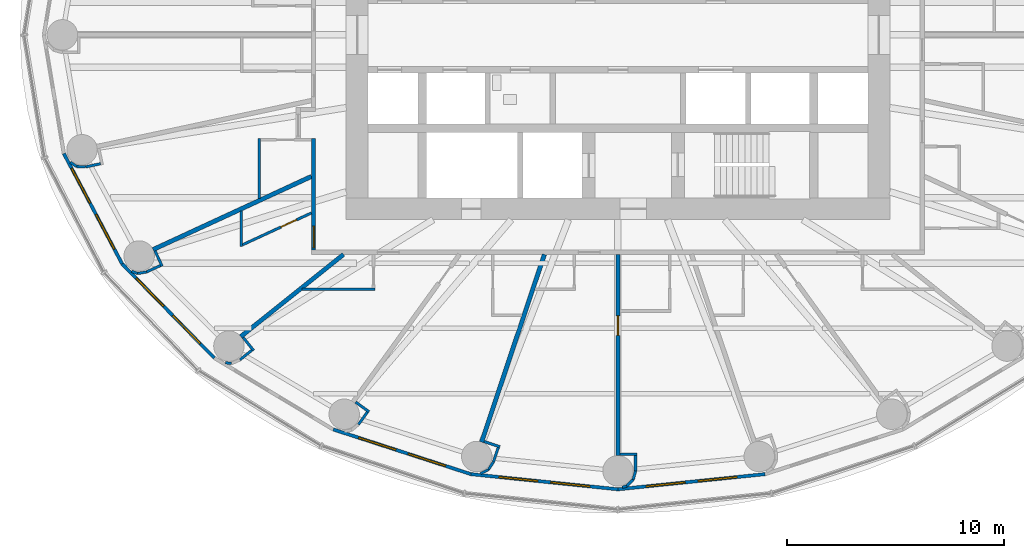
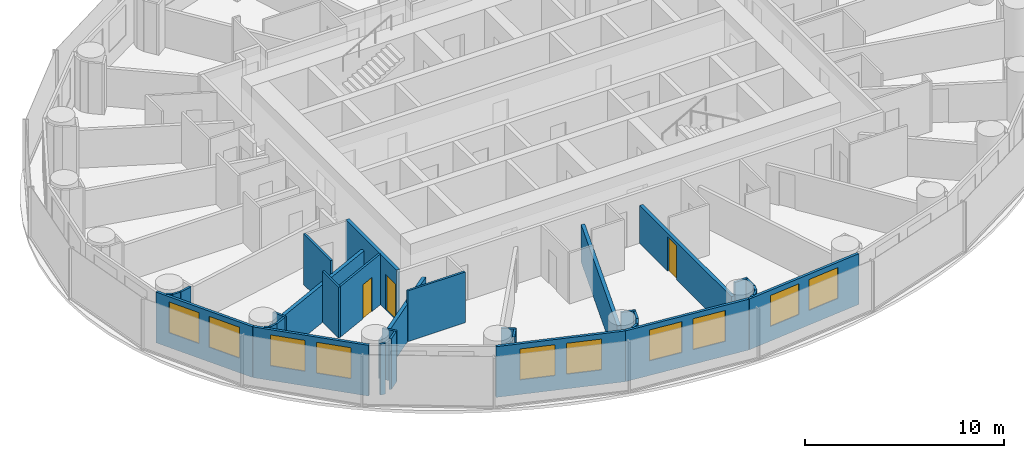
# One storey, part 6 of 16: 35 walls, 10 windows, 3 doors, 13 openings.
"""IFC4 building model written with IfcOpenShell, lengths in metres."""

import ifcopenshell
import ifcopenshell.guid

model = None  # the IFC model being written
_history = None  # IfcOwnerHistory: only IFC2X3 demands one
_inside = {}  # id of a spatial element -> (the spatial element, [elements in it])
_under = {}  # id of a project, library or spatial element -> (it, [spatial elements below it])
_declared = {}  # id of a project -> (the project, [libraries it declares])
_typed = {}  # id of a type object -> (the type object, [elements of that type])
_made_of = {}  # id of a material, layer set ... -> (it, [elements and type objects made of it])


def new_model(schema):
    """Start an empty IFC model of exactly this schema.

    Asked for "IFC4X3", IfcOpenShell would pick the latest addendum, in which some entities
    have other attributes; the version numbers below select the first issue.
    IFC2X3 requires an IfcOwnerHistory on every rooted entity: one is made here for all.
    """
    global model, _history
    if schema == "IFC4X3":
        model = ifcopenshell.file(schema_version=(4, 3, 0, 0))
    else:
        model = ifcopenshell.file(schema=schema)
    _inside.clear()
    _under.clear()
    _declared.clear()
    _typed.clear()
    _made_of.clear()
    _history = None
    if model.schema == "IFC2X3":
        org = make("IfcOrganization", Name="unknown")
        user = make(
            "IfcPersonAndOrganization",
            ThePerson=make("IfcPerson", FamilyName="unknown"),
            TheOrganization=org,
        )
        app = make(
            "IfcApplication",
            ApplicationDeveloper=org,
            Version="unknown",
            ApplicationFullName="unknown",
            ApplicationIdentifier="unknown",
        )
        _history = make(
            "IfcOwnerHistory",
            OwningUser=user,
            OwningApplication=app,
            ChangeAction="ADDED",
            CreationDate=0,
        )
    return model


def make(cls, **values):
    """One entity of the class cls with the attributes given. An attribute that is None is left unset."""
    return model.create_entity(
        cls, **{name: value for name, value in values.items() if value is not None}
    )


def rooted(cls, **values):
    """An entity with a GlobalId (a new one), such as an element, a storey or a relation."""
    return make(cls, GlobalId=ifcopenshell.guid.new(), OwnerHistory=_history, **values)


def si_unit(unit_type, name, prefix=None):
    """IfcSIUnit, for example si_unit("LENGTHUNIT", "METRE", prefix="MILLI")."""
    return make("IfcSIUnit", UnitType=unit_type, Prefix=prefix, Name=name)


def assignment(units):
    """IfcUnitAssignment: the units of a project."""
    return None if units is None else make("IfcUnitAssignment", Units=units)


def point(xyz):
    """IfcCartesianPoint."""
    return None if xyz is None else make("IfcCartesianPoint", Coordinates=xyz)


def direction(xyz):
    """IfcDirection."""
    return None if xyz is None else make("IfcDirection", DirectionRatios=xyz)


def frame(location, z_axis=None, x_axis=None):
    """IfcAxis2Placement3D, a coordinate frame: its origin and axes. An axis left out is left unset."""
    return make(
        "IfcAxis2Placement3D",
        Location=point(location),
        Axis=direction(z_axis),
        RefDirection=direction(x_axis),
    )


def frame_2d(location, x_axis=None):
    """IfcAxis2Placement2D, a coordinate frame in the plane: its origin and x axis."""
    return make(
        "IfcAxis2Placement2D", Location=point(location), RefDirection=direction(x_axis)
    )


def origin():
    """The frame at (0, 0, 0) with its axes left unset."""
    return frame((0.0, 0.0, 0.0))


def place(relative_to, where):
    """IfcLocalPlacement: puts the frame where relative to a parent placement (None: the world)."""
    return make(
        "IfcLocalPlacement", PlacementRelTo=relative_to, RelativePlacement=where
    )


def context(
    kind, dimensions, precision=None, world=None, true_north=None, identifier=None
):
    """IfcGeometricRepresentationContext, for example the 3D "Model" context."""
    return make(
        "IfcGeometricRepresentationContext",
        ContextIdentifier=identifier,
        ContextType=kind,
        CoordinateSpaceDimension=dimensions,
        Precision=precision,
        WorldCoordinateSystem=world,
        TrueNorth=true_north,
    )


def subcontext(parent, identifier, kind, view, scale=None):
    """IfcGeometricRepresentationSubContext, for example "Body" below "Model"."""
    return make(
        "IfcGeometricRepresentationSubContext",
        ContextIdentifier=identifier,
        ContextType=kind,
        ParentContext=parent,
        TargetScale=scale,
        TargetView=view,
    )


def project(units=None, contexts=None):
    """IfcProject with its units and contexts."""
    return rooted(
        "IfcProject",
        Name="project",
        RepresentationContexts=contexts,
        UnitsInContext=assignment(units),
    )


def spatial(cls, under=None, at=None, **own):
    """A site, building, storey or space (cls), placed at a placement, below another one or the project."""
    s = rooted(cls, ObjectPlacement=at, **own)
    if under is not None:
        _under.setdefault(under.id(), (under, []))[1].append(s)
    return s


def profile(cls, at=None, kind="AREA", **sizes):
    """A parametric profile (cls). Its sizes go by their IFC names, for example OverallWidth=200.0."""
    return make(cls, ProfileType=kind, Position=at, **sizes)


def rectangle(**sizes):
    """IfcRectangleProfileDef."""
    return profile("IfcRectangleProfileDef", **sizes)


def extrude(swept, where, along, depth):
    """IfcExtrudedAreaSolid: the profile swept, set in the frame where, extruded along a direction by depth."""
    return make(
        "IfcExtrudedAreaSolid",
        SweptArea=swept,
        Position=where,
        ExtrudedDirection=direction(along),
        Depth=depth,
    )


def shape(context_of_items, identifier, shape_type, items):
    """IfcShapeRepresentation: the items that make up one representation, for example the "Body"."""
    return make(
        "IfcShapeRepresentation",
        ContextOfItems=context_of_items,
        RepresentationIdentifier=identifier,
        RepresentationType=shape_type,
        Items=items,
    )


def material(Name=None, Category=None):
    """IfcMaterial."""
    return make("IfcMaterial", Name=Name, Category=Category)


def layer(
    of_material, thickness, ventilated=None, Name=None, Category=None, Priority=None
):
    """IfcMaterialLayer: one layer of a wall or slab, of a material (None: an air gap)."""
    return make(
        "IfcMaterialLayer",
        Material=of_material,
        LayerThickness=thickness,
        IsVentilated=ventilated,
        Name=Name,
        Category=Category,
        Priority=Priority,
    )


def layer_set(layers, Name=None):
    """IfcMaterialLayerSet."""
    return make("IfcMaterialLayerSet", MaterialLayers=layers, LayerSetName=Name)


def made_of(thing, what):
    """Note that an element or type object is made of a material, layer set ...; save() writes the relation."""
    if what is not None:
        _made_of.setdefault(what.id(), (what, []))[1].append(thing)
    return thing


def type_object(cls, material=None, **own):
    """A type object (cls), such as IfcWallType, which elements share."""
    return made_of(rooted(cls, **own), material)


def element(
    cls,
    number,
    at=None,
    inside=None,
    cuts=None,
    type_object=None,
    material=None,
    context=None,
    identifier="Body",
    shape_type=None,
    held_by="IfcProductDefinitionShape",
    body=None,
    shapes=None,
    **own,
):
    """One element of the class cls, such as IfcWall. Its Tag is "e" and its number.

    at: its placement. inside: the storey or other place that contains it. cuts: it is an
    opening in that element (IfcRelVoidsElement). A single representation is given by context,
    identifier, shape_type and body (its items); several are given by shapes. held_by: the class
    of the entity that holds the representations. save() writes the other relations.
    """
    e = rooted(cls, Tag="e%d" % number, ObjectPlacement=at, **own)
    if body is not None:
        shapes = [shape(context, identifier, shape_type, body)]
    if shapes is not None:
        e.Representation = make(held_by, Representations=shapes)
    if inside is not None:
        _inside.setdefault(inside.id(), (inside, []))[1].append(e)
    if cuts is not None:
        rooted(
            "IfcRelVoidsElement", RelatingBuildingElement=cuts, RelatedOpeningElement=e
        )
    if type_object is not None:
        _typed.setdefault(type_object.id(), (type_object, []))[1].append(e)
    return made_of(e, material)


def fill(opening, filler):
    """IfcRelFillsElement: the door or window that sits in an opening."""
    return rooted(
        "IfcRelFillsElement",
        RelatingOpeningElement=opening,
        RelatedBuildingElement=filler,
    )


def aggregate(whole, parts):
    """IfcRelAggregates: a whole, such as a stair, and the parts it consists of."""
    return rooted("IfcRelAggregates", RelatingObject=whole, RelatedObjects=parts)


def save(model, path):
    """Write the relations noted so far, then the file.

    IfcRelAggregates (storeys below a building ...), IfcRelContainedInSpatialStructure (elements
    in a storey), IfcRelDefinesByType, IfcRelAssociatesMaterial and IfcRelDeclares: one each for
    every whole, place, type object, material and project.
    """
    for whole, parts in _under.values():
        aggregate(whole, parts)
    for where, things in _inside.values():
        rooted(
            "IfcRelContainedInSpatialStructure",
            RelatedElements=things,
            RelatingStructure=where,
        )
    for kind, things in _typed.values():
        rooted("IfcRelDefinesByType", RelatedObjects=things, RelatingType=kind)
    for what, things in _made_of.values():
        rooted("IfcRelAssociatesMaterial", RelatedObjects=things, RelatingMaterial=what)
    for by, libraries in _declared.values():
        rooted("IfcRelDeclares", RelatingContext=by, RelatedDefinitions=libraries)
    model.write(path)


model = new_model("IFC4")

# Units and contexts
model_context = context("Model", 3, precision=1e-05, world=origin(), true_north=direction((0.0, 1.0)))
body_context = subcontext(model_context, "Body", "Model", "MODEL_VIEW")
ifc_project = project(units=[si_unit("LENGTHUNIT", "METRE"), si_unit("AREAUNIT", "SQUARE_METRE"), si_unit("VOLUMEUNIT", "CUBIC_METRE"), si_unit("PLANEANGLEUNIT", "RADIAN"), si_unit("MASSUNIT", "GRAM", prefix="KILO")], contexts=[model_context])

# Site, building, storey
site_placement = place(None, origin())
site = spatial("IfcSite", under=ifc_project, at=site_placement, CompositionType="ELEMENT")
building_placement = place(site_placement, origin())
building = spatial("IfcBuilding", under=site, at=building_placement, Name="Hankou Lantern Tower", CompositionType="ELEMENT")
storey_placement = place(building_placement, frame((0.0, 0.0, 77.10009765625)))
storey = spatial("IfcBuildingStorey", under=building, at=storey_placement, Name="L19", CompositionType="ELEMENT", Elevation=77.10009765625)

# Wall, openings, windows
ifc_material_1 = material(Name="Aluminium spandrel panel on steel studs", Category="steel")
ifc_layer_1 = layer(ifc_material_1, 0.14990234375)
ifc_layer_set_1 = layer_set([ifc_layer_1], Name="Aluminium spandrel panel on steel studs")
wall_type_1 = type_object("IfcWallType", Name="EW1 INNER SKIN WALL 150", PredefinedType="ELEMENTEDWALL", material=ifc_layer_set_1)
wall_1_placement = place(storey_placement, frame((-25.482421875, -5.46240234375, 0.0), z_axis=(0.0, 0.0, 1.0), x_axis=(0.467296867008, -0.884100468321, 0.0)))
wall_1 = element("IfcWall", 1, at=wall_1_placement, inside=storey, type_object=wall_type_1, Name="Inner skin R14-R15 L19", PredefinedType="ELEMENTEDWALL", context=body_context, shape_type="SweptSolid", body=[
    extrude(rectangle(XDim=5.734375, YDim=0.14990234375, at=frame_2d((2.8671875, 0.0))), origin(), (0.0, 0.0, 1.0), 3.119873046875),
])
opening_1_placement = place(wall_1_placement, frame((0.76708984375, 0.0, 0.89990234375)))
opening_1 = element("IfcOpeningElement", 2, at=opening_1_placement, cuts=wall_1, Name="Opening W1", PredefinedType="OPENING", context=body_context, shape_type="SweptSolid", body=[
    extrude(rectangle(XDim=1.800048828125, YDim=1.89990234375, at=frame_2d((0.89990234375, 0.949951171875))), frame((0.0, 0.0849609375, 0.0), z_axis=(0.0, -1.0, 0.0), x_axis=(1.0, 0.0, 0.0)), (0.0, 0.0, 1.0), 0.169921875),
])
opening_2_placement = place(wall_1_placement, frame((3.167236328125, 0.0, 0.89990234375)))
opening_2 = element("IfcOpeningElement", 3, at=opening_2_placement, cuts=wall_1, Name="Opening W1", PredefinedType="OPENING", context=body_context, shape_type="SweptSolid", body=[
    extrude(rectangle(XDim=1.800048828125, YDim=1.89990234375, at=frame_2d((0.89990234375, 0.949951171875))), frame((0.0, 0.0849609375, 0.0), z_axis=(0.0, -1.0, 0.0), x_axis=(1.0, 0.0, 0.0)), (0.0, 0.0, 1.0), 0.169921875),
])
ifc_material_2 = material(Name="Aluminium framed double glazed window", Category="aluminium")
window_type = type_object("IfcWindowType", Name="W1 GUEST ROOM WINDOW 1800X1900", PartitioningType="DOUBLE_PANEL_VERTICAL", PredefinedType="WINDOW", material=ifc_material_2)
window_1_placement = place(opening_1_placement, origin())
window_1 = element("IfcWindow", 4, at=window_1_placement, inside=storey, type_object=window_type, Name="Window R14.1 L19", OverallHeight=1.89990234375, OverallWidth=1.800048828125, PartitioningType="SINGLE_PANEL", PredefinedType="WINDOW", context=body_context, shape_type="SweptSolid", body=[
    extrude(rectangle(XDim=1.800048828125, YDim=1.89990234375, at=frame_2d((0.89990234375, 0.949951171875))), frame((0.0, 0.030029296875, 0.0), z_axis=(0.0, -1.0, 0.0), x_axis=(1.0, 0.0, 0.0)), (0.0, 0.0, 1.0), 0.06005859375),
])
fill(opening_1, window_1)
window_2_placement = place(opening_2_placement, origin())
window_2 = element("IfcWindow", 5, at=window_2_placement, inside=storey, type_object=window_type, Name="Window R14.2 L19", OverallHeight=1.89990234375, OverallWidth=1.800048828125, PartitioningType="SINGLE_PANEL", PredefinedType="WINDOW", context=body_context, shape_type="SweptSolid", body=[
    extrude(rectangle(XDim=1.800048828125, YDim=1.89990234375, at=frame_2d((0.89990234375, 0.949951171875))), frame((0.0, 0.030029296875, 0.0), z_axis=(0.0, -1.0, 0.0), x_axis=(1.0, 0.0, 0.0)), (0.0, 0.0, 1.0), 0.06005859375),
])
fill(opening_2, window_2)

wall_2_placement = place(storey_placement, frame((-22.802734375, -10.5322265625, 0.0), z_axis=(0.0, 0.0, 1.0), x_axis=(0.699602905915, -0.714531856557, 0.0)))
wall_2 = element("IfcWall", 6, at=wall_2_placement, inside=storey, type_object=wall_type_1, Name="Inner skin R15-R16 L19", PredefinedType="ELEMENTEDWALL", context=body_context, shape_type="SweptSolid", body=[
    extrude(rectangle(XDim=6.05078125, YDim=0.14990234375, at=frame_2d((3.025390625, 0.0))), origin(), (0.0, 0.0, 1.0), 3.119873046875),
])
opening_3_placement = place(wall_2_placement, frame((0.925537109375, 0.0, 0.89990234375)))
opening_3 = element("IfcOpeningElement", 7, at=opening_3_placement, cuts=wall_2, Name="Opening W1", PredefinedType="OPENING", context=body_context, shape_type="SweptSolid", body=[
    extrude(rectangle(XDim=1.800048828125, YDim=1.89990234375, at=frame_2d((0.89990234375, 0.949951171875))), frame((0.0, 0.0849609375, 0.0), z_axis=(0.0, -1.0, 0.0), x_axis=(1.0, 0.0, 0.0)), (0.0, 0.0, 1.0), 0.169921875),
])
opening_4_placement = place(wall_2_placement, frame((3.325439453125, 0.0, 0.89990234375)))
opening_4 = element("IfcOpeningElement", 8, at=opening_4_placement, cuts=wall_2, Name="Opening W1", PredefinedType="OPENING", context=body_context, shape_type="SweptSolid", body=[
    extrude(rectangle(XDim=1.800048828125, YDim=1.89990234375, at=frame_2d((0.89990234375, 0.949951171875))), frame((0.0, 0.0849609375, 0.0), z_axis=(0.0, -1.0, 0.0), x_axis=(1.0, 0.0, 0.0)), (0.0, 0.0, 1.0), 0.169921875),
])
window_3_placement = place(opening_3_placement, origin())
window_3 = element("IfcWindow", 9, at=window_3_placement, inside=storey, type_object=window_type, Name="Window R15.1 L19", OverallHeight=1.89990234375, OverallWidth=1.800048828125, PartitioningType="SINGLE_PANEL", PredefinedType="WINDOW", context=body_context, shape_type="SweptSolid", body=[
    extrude(rectangle(XDim=1.800048828125, YDim=1.89990234375, at=frame_2d((0.89990234375, 0.949951171875))), frame((0.0, 0.030029296875, 0.0), z_axis=(0.0, -1.0, 0.0), x_axis=(1.0, 0.0, 0.0)), (0.0, 0.0, 1.0), 0.06005859375),
])
fill(opening_3, window_3)
window_4_placement = place(opening_4_placement, origin())
window_4 = element("IfcWindow", 10, at=window_4_placement, inside=storey, type_object=window_type, Name="Window R15.2 L19", OverallHeight=1.89990234375, OverallWidth=1.800048828125, PartitioningType="SINGLE_PANEL", PredefinedType="WINDOW", context=body_context, shape_type="SweptSolid", body=[
    extrude(rectangle(XDim=1.800048828125, YDim=1.89990234375, at=frame_2d((0.89990234375, 0.949951171875))), frame((0.0, 0.030029296875, 0.0), z_axis=(0.0, -1.0, 0.0), x_axis=(1.0, 0.0, 0.0)), (0.0, 0.0, 1.0), 0.06005859375),
])
fill(opening_4, window_4)

wall_3_placement = place(storey_placement, frame((-13.096435546875, -18.14697265625, 0.0), z_axis=(0.0, 0.0, 1.0), x_axis=(0.951137534625, -0.308767534285, 0.0)))
wall_3 = element("IfcWall", 11, at=wall_3_placement, inside=storey, type_object=wall_type_1, Name="Inner skin R17-R18 L19", PredefinedType="ELEMENTEDWALL", context=body_context, shape_type="SweptSolid", body=[
    extrude(rectangle(XDim=6.6552734375, YDim=0.14990234375, at=frame_2d((3.32763671875, 0.0))), origin(), (0.0, 0.0, 1.0), 3.119873046875),
])
opening_5_placement = place(wall_3_placement, frame((1.2275390625, 0.0, 0.89990234375)))
opening_5 = element("IfcOpeningElement", 12, at=opening_5_placement, cuts=wall_3, Name="Opening W1", PredefinedType="OPENING", context=body_context, shape_type="SweptSolid", body=[
    extrude(rectangle(XDim=1.800048828125, YDim=1.89990234375, at=frame_2d((0.89990234375, 0.949951171875))), frame((0.0, 0.0849609375, 0.0), z_axis=(0.0, -1.0, 0.0), x_axis=(1.0, 0.0, 0.0)), (0.0, 0.0, 1.0), 0.169921875),
])
opening_6_placement = place(wall_3_placement, frame((3.627685546875, 0.0, 0.89990234375)))
opening_6 = element("IfcOpeningElement", 13, at=opening_6_placement, cuts=wall_3, Name="Opening W1", PredefinedType="OPENING", context=body_context, shape_type="SweptSolid", body=[
    extrude(rectangle(XDim=1.800048828125, YDim=1.89990234375, at=frame_2d((0.89990234375, 0.949951171875))), frame((0.0, 0.0849609375, 0.0), z_axis=(0.0, -1.0, 0.0), x_axis=(1.0, 0.0, 0.0)), (0.0, 0.0, 1.0), 0.169921875),
])
window_5_placement = place(opening_5_placement, origin())
window_5 = element("IfcWindow", 14, at=window_5_placement, inside=storey, type_object=window_type, Name="Window R17.1 L19", OverallHeight=1.89990234375, OverallWidth=1.800048828125, PartitioningType="SINGLE_PANEL", PredefinedType="WINDOW", context=body_context, shape_type="SweptSolid", body=[
    extrude(rectangle(XDim=1.800048828125, YDim=1.89990234375, at=frame_2d((0.89990234375, 0.949951171875))), frame((0.0, 0.030029296875, 0.0), z_axis=(0.0, -1.0, 0.0), x_axis=(1.0, 0.0, 0.0)), (0.0, 0.0, 1.0), 0.06005859375),
])
fill(opening_5, window_5)
window_6_placement = place(opening_6_placement, origin())
window_6 = element("IfcWindow", 15, at=window_6_placement, inside=storey, type_object=window_type, Name="Window R17.2 L19", OverallHeight=1.89990234375, OverallWidth=1.800048828125, PartitioningType="SINGLE_PANEL", PredefinedType="WINDOW", context=body_context, shape_type="SweptSolid", body=[
    extrude(rectangle(XDim=1.800048828125, YDim=1.89990234375, at=frame_2d((0.89990234375, 0.949951171875))), frame((0.0, 0.030029296875, 0.0), z_axis=(0.0, -1.0, 0.0), x_axis=(1.0, 0.0, 0.0)), (0.0, 0.0, 1.0), 0.06005859375),
])
fill(opening_6, window_6)

wall_4_placement = place(storey_placement, frame((-6.766357421875, -20.201904296875, 0.0), z_axis=(0.0, 0.0, 1.0), x_axis=(0.994721394369, -0.102612609291, 0.0)))
wall_4 = element("IfcWall", 16, at=wall_4_placement, inside=storey, type_object=wall_type_1, Name="Inner skin R18-R19 L19", PredefinedType="ELEMENTEDWALL", context=body_context, shape_type="SweptSolid", body=[
    extrude(rectangle(XDim=6.80224609375, YDim=0.14990234375, at=frame_2d((3.401123046875, 0.0))), origin(), (0.0, 0.0, 1.0), 3.119873046875),
])
opening_7_placement = place(wall_4_placement, frame((1.301025390625, 0.0, 0.89990234375)))
opening_7 = element("IfcOpeningElement", 17, at=opening_7_placement, cuts=wall_4, Name="Opening W1", PredefinedType="OPENING", context=body_context, shape_type="SweptSolid", body=[
    extrude(rectangle(XDim=1.800048828125, YDim=1.89990234375, at=frame_2d((0.89990234375, 0.949951171875))), frame((0.0, 0.0849609375, 0.0), z_axis=(0.0, -1.0, 0.0), x_axis=(1.0, 0.0, 0.0)), (0.0, 0.0, 1.0), 0.169921875),
])
opening_8_placement = place(wall_4_placement, frame((3.701171875, 0.0, 0.89990234375)))
opening_8 = element("IfcOpeningElement", 18, at=opening_8_placement, cuts=wall_4, Name="Opening W1", PredefinedType="OPENING", context=body_context, shape_type="SweptSolid", body=[
    extrude(rectangle(XDim=1.800048828125, YDim=1.89990234375, at=frame_2d((0.89990234375, 0.949951171875))), frame((0.0, 0.0849609375, 0.0), z_axis=(0.0, -1.0, 0.0), x_axis=(1.0, 0.0, 0.0)), (0.0, 0.0, 1.0), 0.169921875),
])
window_7_placement = place(opening_7_placement, origin())
window_7 = element("IfcWindow", 19, at=window_7_placement, inside=storey, type_object=window_type, Name="Window R18.1 L19", OverallHeight=1.89990234375, OverallWidth=1.800048828125, PartitioningType="SINGLE_PANEL", PredefinedType="WINDOW", context=body_context, shape_type="SweptSolid", body=[
    extrude(rectangle(XDim=1.800048828125, YDim=1.89990234375, at=frame_2d((0.89990234375, 0.949951171875))), frame((0.0, 0.030029296875, 0.0), z_axis=(0.0, -1.0, 0.0), x_axis=(1.0, 0.0, 0.0)), (0.0, 0.0, 1.0), 0.06005859375),
])
fill(opening_7, window_7)
window_8_placement = place(opening_8_placement, origin())
window_8 = element("IfcWindow", 20, at=window_8_placement, inside=storey, type_object=window_type, Name="Window R18.2 L19", OverallHeight=1.89990234375, OverallWidth=1.800048828125, PartitioningType="SINGLE_PANEL", PredefinedType="WINDOW", context=body_context, shape_type="SweptSolid", body=[
    extrude(rectangle(XDim=1.800048828125, YDim=1.89990234375, at=frame_2d((0.89990234375, 0.949951171875))), frame((0.0, 0.030029296875, 0.0), z_axis=(0.0, -1.0, 0.0), x_axis=(1.0, 0.0, 0.0)), (0.0, 0.0, 1.0), 0.06005859375),
])
fill(opening_8, window_8)

wall_5_placement = place(storey_placement, frame((0.0, -20.89990234375, 0.0), z_axis=(0.0, 0.0, 1.0), x_axis=(0.994721394369, 0.102612609291, 0.0)))
wall_5 = element("IfcWall", 21, at=wall_5_placement, inside=storey, type_object=wall_type_1, Name="Inner skin R19-R20 L19", PredefinedType="ELEMENTEDWALL", context=body_context, shape_type="SweptSolid", body=[
    extrude(rectangle(XDim=6.80224609375, YDim=0.14990234375, at=frame_2d((3.401123046875, 0.0))), origin(), (0.0, 0.0, 1.0), 3.119873046875),
])
opening_9_placement = place(wall_5_placement, frame((1.301025390625, 0.0, 0.89990234375)))
opening_9 = element("IfcOpeningElement", 22, at=opening_9_placement, cuts=wall_5, Name="Opening W1", PredefinedType="OPENING", context=body_context, shape_type="SweptSolid", body=[
    extrude(rectangle(XDim=1.800048828125, YDim=1.89990234375, at=frame_2d((0.89990234375, 0.949951171875))), frame((0.0, 0.0849609375, 0.0), z_axis=(0.0, -1.0, 0.0), x_axis=(1.0, 0.0, 0.0)), (0.0, 0.0, 1.0), 0.169921875),
])
opening_10_placement = place(wall_5_placement, frame((3.701171875, 0.0, 0.89990234375)))
opening_10 = element("IfcOpeningElement", 23, at=opening_10_placement, cuts=wall_5, Name="Opening W1", PredefinedType="OPENING", context=body_context, shape_type="SweptSolid", body=[
    extrude(rectangle(XDim=1.800048828125, YDim=1.89990234375, at=frame_2d((0.89990234375, 0.949951171875))), frame((0.0, 0.0849609375, 0.0), z_axis=(0.0, -1.0, 0.0), x_axis=(1.0, 0.0, 0.0)), (0.0, 0.0, 1.0), 0.169921875),
])
window_9_placement = place(opening_9_placement, origin())
window_9 = element("IfcWindow", 24, at=window_9_placement, inside=storey, type_object=window_type, Name="Window R19.1 L19", OverallHeight=1.89990234375, OverallWidth=1.800048828125, PartitioningType="SINGLE_PANEL", PredefinedType="WINDOW", context=body_context, shape_type="SweptSolid", body=[
    extrude(rectangle(XDim=1.800048828125, YDim=1.89990234375, at=frame_2d((0.89990234375, 0.949951171875))), frame((0.0, 0.030029296875, 0.0), z_axis=(0.0, -1.0, 0.0), x_axis=(1.0, 0.0, 0.0)), (0.0, 0.0, 1.0), 0.06005859375),
])
fill(opening_9, window_9)
window_10_placement = place(opening_10_placement, origin())
window_10 = element("IfcWindow", 25, at=window_10_placement, inside=storey, type_object=window_type, Name="Window R19.2 L19", OverallHeight=1.89990234375, OverallWidth=1.800048828125, PartitioningType="SINGLE_PANEL", PredefinedType="WINDOW", context=body_context, shape_type="SweptSolid", body=[
    extrude(rectangle(XDim=1.800048828125, YDim=1.89990234375, at=frame_2d((0.89990234375, 0.949951171875))), frame((0.0, 0.030029296875, 0.0), z_axis=(0.0, -1.0, 0.0), x_axis=(1.0, 0.0, 0.0)), (0.0, 0.0, 1.0), 0.06005859375),
])
fill(opening_10, window_10)

# Walls
ifc_material_3 = material(Name="Masonry lightweight concrete block", Category="masonry")
ifc_layer_2 = layer(ifc_material_3, 0.199951171875)
ifc_layer_set_2 = layer_set([ifc_layer_2], Name="Masonry lightweight concrete block")
wall_type_2 = type_object("IfcWallType", Name="IW1 GUEST ROOM PARTY WALL 200", PredefinedType="PARTITIONING", material=ifc_layer_set_2)
wall_6_placement = place(storey_placement, frame((-14.10009765625, -6.512451171875, 0.0), z_axis=(0.0, 0.0, 1.0), x_axis=(-0.907832871056, -0.419332181247, 0.0)))
element("IfcWall", 26, at=wall_6_placement, inside=storey, type_object=wall_type_2, Name="Party wall R15", PredefinedType="PARTITIONING", context=body_context, shape_type="SweptSolid", body=[
    extrude(rectangle(XDim=8.02294921875, YDim=0.199951171875, at=frame_2d((4.011474609375, 0.0))), origin(), (0.0, 0.0, 1.0), 2.31982421875),
])
wall_7_placement = place(storey_placement, frame((-12.625, -10.10009765625, 0.0), z_axis=(0.0, 0.0, 1.0), x_axis=(-0.780892451574, -0.624665493744, 0.0)))
element("IfcWall", 27, at=wall_7_placement, inside=storey, type_object=wall_type_2, Name="Party wall R16", PredefinedType="PARTITIONING", context=body_context, shape_type="SweptSolid", body=[
    extrude(rectangle(XDim=6.044677734375, YDim=0.199951171875, at=frame_2d((3.0224609375, 0.0))), origin(), (0.0, 0.0, 1.0), 2.31982421875),
])
wall_8_placement = place(storey_placement, frame((-3.3828125, -10.10009765625, 0.0), z_axis=(0.0, 0.0, 1.0), x_axis=(-0.31759592231, -0.948226149256, 0.0)))
element("IfcWall", 28, at=wall_8_placement, inside=storey, type_object=wall_type_2, Name="Party wall R18", PredefinedType="PARTITIONING", context=body_context, shape_type="SweptSolid", body=[
    extrude(rectangle(XDim=9.098388671875, YDim=0.199951171875, at=frame_2d((4.54931640625, 0.0))), origin(), (0.0, 0.0, 1.0), 2.31982421875),
])

# Wall, opening, door
ifc_material_4 = material(Name="Masonry lightweight concrete block", Category="masonry")
ifc_layer_3 = layer(ifc_material_4, 0.199951171875)
ifc_layer_set_3 = layer_set([ifc_layer_3], Name="Masonry lightweight concrete block")
wall_type_3 = type_object("IfcWallType", Name="IW2 CORRIDOR WALL 200", PredefinedType="PARTITIONING", material=ifc_layer_set_3)
wall_9_placement = place(storey_placement, frame((-14.0, -4.7724609375, 0.0), z_axis=(0.0, 0.0, 1.0), x_axis=(0.0, -1.0, 0.0)))
wall_9 = element("IfcWall", 29, at=wall_9_placement, inside=storey, type_object=wall_type_3, Name="Corridor wall west", PredefinedType="PARTITIONING", context=body_context, shape_type="SweptSolid", body=[
    extrude(rectangle(XDim=5.12744140625, YDim=0.199951171875, at=frame_2d((2.563720703125, 0.0))), origin(), (0.0, 0.0, 1.0), 3.119873046875),
])
opening_11_placement = place(wall_9_placement, frame((4.02490234375, 0.0, 0.0)))
opening_11 = element("IfcOpeningElement", 30, at=opening_11_placement, cuts=wall_9, Name="Opening D1", PredefinedType="OPENING", context=body_context, shape_type="SweptSolid", body=[
    extrude(rectangle(XDim=1.0, YDim=2.199951171875, at=frame_2d((0.5, 1.10009765625))), frame((0.0, 0.10986328125, 0.0), z_axis=(0.0, -1.0, 0.0), x_axis=(1.0, 0.0, 0.0)), (0.0, 0.0, 1.0), 0.219970703125),
])
ifc_material_5 = material(Name="Steel door leaf", Category="steel")
door_type_1 = type_object("IfcDoorType", Name="D1 GUEST ROOM DOOR 1000X2200", OperationType="SINGLE_SWING_LEFT", PredefinedType="DOOR", material=ifc_material_5)
door_1_placement = place(opening_11_placement, origin())
door_1 = element("IfcDoor", 31, at=door_1_placement, inside=storey, type_object=door_type_1, Name="Guest room door 1920", OperationType="SINGLE_SWING_RIGHT", OverallHeight=2.199951171875, OverallWidth=1.0, PredefinedType="DOOR", context=body_context, shape_type="SweptSolid", body=[
    extrude(rectangle(XDim=1.0, YDim=2.199951171875, at=frame_2d((0.5, 1.10009765625))), frame((0.0, 0.02490234375, 0.0), z_axis=(0.0, -1.0, 0.0), x_axis=(1.0, 0.0, 0.0)), (0.0, 0.0, 1.0), 0.050048828125),
])
fill(opening_11, door_1)

# Walls
ifc_material_6 = material(Name="Masonry lightweight concrete block", Category="masonry")
ifc_layer_4 = layer(ifc_material_6, 0.1201171875)
ifc_layer_set_4 = layer_set([ifc_layer_4], Name="Masonry lightweight concrete block")
wall_type_4 = type_object("IfcWallType", Name="IW3 BATHROOM WALL 120", PredefinedType="PARTITIONING", material=ifc_layer_set_4)
wall_10_placement = place(storey_placement, frame((-14.52490234375, -11.699951171875, 0.0), z_axis=(0.0, 0.0, 1.0), x_axis=(1.0, 0.0, 0.0)))
element("IfcWall", 32, at=wall_10_placement, inside=storey, type_object=wall_type_4, Name="Box wall 1901C 1", PredefinedType="PARTITIONING", context=body_context, shape_type="SweptSolid", body=[
    extrude(rectangle(XDim=3.33984375, YDim=0.1201171875, at=frame_2d((1.669921875, 0.0))), origin(), (0.0, 0.0, 1.0), 3.119873046875),
])
wall_11_placement = place(storey_placement, frame((-16.5, -7.52099609375, 0.0), z_axis=(0.0, 0.0, 1.0), x_axis=(0.0, 1.0, 0.0)))
element("IfcWall", 33, at=wall_11_placement, inside=storey, type_object=wall_type_4, Name="Box wall 1919 1", PredefinedType="PARTITIONING", context=body_context, shape_type="SweptSolid", body=[
    extrude(rectangle(XDim=2.74853515625, YDim=0.1201171875, at=frame_2d((1.374267578125, 0.0))), origin(), (0.0, 0.0, 1.0), 3.119873046875),
])
wall_12_placement = place(storey_placement, frame((-17.32275390625, -8.10107421875, 0.0), z_axis=(0.0, 0.0, 1.0), x_axis=(0.0, -1.0, 0.0)))
element("IfcWall", 34, at=wall_12_placement, inside=storey, type_object=wall_type_4, Name="Box wall 1920 1", PredefinedType="PARTITIONING", context=body_context, shape_type="SweptSolid", body=[
    extrude(rectangle(XDim=1.639892578125, YDim=0.1201171875, at=frame_2d((0.81982421875, 0.0))), origin(), (0.0, 0.0, 1.0), 3.119873046875),
])

# Wall, opening, door
wall_13_placement = place(storey_placement, frame((-14.10009765625, -8.192626953125, 0.0), z_axis=(0.0, 0.0, 1.0), x_axis=(-0.907836493557, -0.419324338628, 0.0)))
wall_13 = element("IfcWall", 35, at=wall_13_placement, inside=storey, type_object=wall_type_4, Name="Box wall 1920 1", PredefinedType="PARTITIONING", context=body_context, shape_type="SweptSolid", body=[
    extrude(rectangle(XDim=3.48974609375, YDim=0.1201171875, at=frame_2d((1.744873046875, 0.0))), origin(), (0.0, 0.0, 1.0), 3.119873046875),
])
opening_12_placement = place(wall_13_placement, frame((0.75, 0.0, 0.0)))
opening_12 = element("IfcOpeningElement", 36, at=opening_12_placement, cuts=wall_13, Name="Opening D3", PredefinedType="OPENING", context=body_context, shape_type="SweptSolid", body=[
    extrude(rectangle(XDim=0.800048828125, YDim=2.10009765625, at=frame_2d((0.39990234375, 1.050048828125))), frame((0.0, 0.070068359375, 0.0), z_axis=(0.0, -1.0, 0.0), x_axis=(1.0, 0.0, 0.0)), (0.0, 0.0, 1.0), 0.14013671875),
])
ifc_material_7 = material(Name="Timber door leaf", Category="wood")
door_type_2 = type_object("IfcDoorType", Name="D3 BATHROOM DOOR 800X2100", OperationType="SINGLE_SWING_LEFT", PredefinedType="DOOR", material=ifc_material_7)
door_2_placement = place(opening_12_placement, origin())
door_2 = element("IfcDoor", 37, at=door_2_placement, inside=storey, type_object=door_type_2, Name="En-suite bathroom 1920 door", OperationType="SINGLE_SWING_LEFT", OverallHeight=2.10009765625, OverallWidth=0.800048828125, PredefinedType="DOOR", context=body_context, shape_type="SweptSolid", body=[
    extrude(rectangle(XDim=0.800048828125, YDim=2.10009765625, at=frame_2d((0.39990234375, 1.050048828125))), frame((0.0, 0.02490234375, 0.0), z_axis=(0.0, -1.0, 0.0), x_axis=(1.0, 0.0, 0.0)), (0.0, 0.0, 1.0), 0.050048828125),
])
fill(opening_12, door_2)

# Walls
ifc_material_8 = material(Name="Masonry lightweight concrete block", Category="masonry")
ifc_layer_5 = layer(ifc_material_8, 0.1201171875)
ifc_layer_set_5 = layer_set([ifc_layer_5], Name="Masonry lightweight concrete block")
wall_type_5 = type_object("IfcWallType", Name="IW4 PARTITION 120", PredefinedType="PARTITIONING", material=ifc_layer_set_5)
wall_14_placement = place(storey_placement, frame((-23.793212890625, -5.92626953125, 0.0), z_axis=(0.0, 0.0, 1.0), x_axis=(-0.977792206673, -0.209576717621, 0.0)))
element("IfcWall", 38, at=wall_14_placement, inside=storey, type_object=wall_type_5, Name="Column casing R14", PredefinedType="PARTITIONING", context=body_context, shape_type="SweptSolid", body=[
    extrude(rectangle(XDim=0.7001953125, YDim=0.1201171875, at=frame_2d((0.35009765625, 0.0))), origin(), (0.0, 0.0, 1.0), 3.119873046875),
])
wall_15_placement = place(storey_placement, frame((-24.477783203125, -6.072998046875, 0.0), z_axis=(0.0, 0.0, 1.0), x_axis=(-0.998708262812, 0.05081147302, 0.0)))
element("IfcWall", 39, at=wall_15_placement, inside=storey, type_object=wall_type_5, Name="Column casing R14", PredefinedType="PARTITIONING", context=body_context, shape_type="SweptSolid", body=[
    extrude(rectangle(XDim=0.41796875, YDim=0.1201171875, at=frame_2d((0.208984375, 0.0))), origin(), (0.0, 0.0, 1.0), 3.119873046875),
])
wall_16_placement = place(storey_placement, frame((-24.895263671875, -6.0517578125, 0.0), z_axis=(0.0, 0.0, 1.0), x_axis=(-0.839495197275, 0.54336710772, 0.0)))
element("IfcWall", 40, at=wall_16_placement, inside=storey, type_object=wall_type_5, Name="Column casing R14", PredefinedType="PARTITIONING", context=body_context, shape_type="SweptSolid", body=[
    extrude(rectangle(XDim=0.349609375, YDim=0.1201171875, at=frame_2d((0.1748046875, 0.0))), origin(), (0.0, 0.0, 1.0), 3.119873046875),
])
wall_17_placement = place(storey_placement, frame((-21.287109375, -9.9423828125, 0.0), z_axis=(0.0, 0.0, 1.0), x_axis=(0.419259891039, -0.907866258744, 0.0)))
element("IfcWall", 41, at=wall_17_placement, inside=storey, type_object=wall_type_5, Name="Column casing R15 return", PredefinedType="PARTITIONING", context=body_context, shape_type="SweptSolid", body=[
    extrude(rectangle(XDim=0.767578125, YDim=0.1201171875, at=frame_2d((0.3837890625, 0.0))), origin(), (0.0, 0.0, 1.0), 3.119873046875),
])
wall_18_placement = place(storey_placement, frame((-21.044921875, -10.60986328125, 0.0), z_axis=(0.0, 0.0, 1.0), x_axis=(-0.907877701396, -0.419235112208, 0.0)))
element("IfcWall", 42, at=wall_18_placement, inside=storey, type_object=wall_type_5, Name="Column casing R15", PredefinedType="PARTITIONING", context=body_context, shape_type="SweptSolid", body=[
    extrude(rectangle(XDim=0.699951171875, YDim=0.1201171875, at=frame_2d((0.35009765625, 0.0))), origin(), (0.0, 0.0, 1.0), 3.119873046875),
])
wall_19_placement = place(storey_placement, frame((-21.680419921875, -10.9033203125, 0.0), z_axis=(0.0, 0.0, 1.0), x_axis=(-0.985446622073, -0.169985161247, 0.0)))
element("IfcWall", 43, at=wall_19_placement, inside=storey, type_object=wall_type_5, Name="Column casing R15", PredefinedType="PARTITIONING", context=body_context, shape_type="SweptSolid", body=[
    extrude(rectangle(XDim=0.41796875, YDim=0.1201171875, at=frame_2d((0.208984375, 0.0))), origin(), (0.0, 0.0, 1.0), 3.119873046875),
])
wall_20_placement = place(storey_placement, frame((-22.09228515625, -10.974365234375, 0.0), z_axis=(0.0, 0.0, 1.0), x_axis=(-0.938428160676, 0.345474437912, 0.0)))
element("IfcWall", 44, at=wall_20_placement, inside=storey, type_object=wall_type_5, Name="Column casing R15", PredefinedType="PARTITIONING", context=body_context, shape_type="SweptSolid", body=[
    extrude(rectangle(XDim=0.2939453125, YDim=0.1201171875, at=frame_2d((0.14697265625, 0.0))), origin(), (0.0, 0.0, 1.0), 3.119873046875),
])
wall_21_placement = place(storey_placement, frame((-17.23583984375, -13.916748046875, 0.0), z_axis=(0.0, 0.0, 1.0), x_axis=(0.624695047554, -0.780868809443, 0.0)))
element("IfcWall", 45, at=wall_21_placement, inside=storey, type_object=wall_type_5, Name="Column casing R16 return", PredefinedType="PARTITIONING", context=body_context, shape_type="SweptSolid", body=[
    extrude(rectangle(XDim=0.767578125, YDim=0.1201171875, at=frame_2d((0.3837890625, 0.0))), origin(), (0.0, 0.0, 1.0), 3.119873046875),
])
wall_22_placement = place(storey_placement, frame((-16.840576171875, -14.506591796875, 0.0), z_axis=(0.0, 0.0, 1.0), x_axis=(-0.780902834923, -0.62465251333, 0.0)))
element("IfcWall", 46, at=wall_22_placement, inside=storey, type_object=wall_type_5, Name="Column casing R16", PredefinedType="PARTITIONING", context=body_context, shape_type="SweptSolid", body=[
    extrude(rectangle(XDim=0.699951171875, YDim=0.1201171875, at=frame_2d((0.35009765625, 0.0))), origin(), (0.0, 0.0, 1.0), 3.119873046875),
])
wall_23_placement = place(storey_placement, frame((-17.770263671875, -15.111572265625, 0.0), z_axis=(0.0, 0.0, 1.0), x_axis=(-0.993904401174, 0.110245368731, 0.0)))
element("IfcWall", 47, at=wall_23_placement, inside=storey, type_object=wall_type_5, Name="Column casing R16", PredefinedType="PARTITIONING", context=body_context, shape_type="SweptSolid", body=[
    extrude(rectangle(XDim=0.287841796875, YDim=0.1201171875, at=frame_2d((0.14404296875, 0.0))), origin(), (0.0, 0.0, 1.0), 3.119873046875),
])
wall_24_placement = place(storey_placement, frame((-12.06494140625, -16.888671875, 0.0), z_axis=(0.0, 0.0, 1.0), x_axis=(0.810821798253, -0.585293098778, 0.0)))
element("IfcWall", 48, at=wall_24_placement, inside=storey, type_object=wall_type_5, Name="Column casing R17 return", PredefinedType="PARTITIONING", context=body_context, shape_type="SweptSolid", body=[
    extrude(rectangle(XDim=0.767578125, YDim=0.1201171875, at=frame_2d((0.3837890625, 0.0))), origin(), (0.0, 0.0, 1.0), 3.119873046875),
])
wall_25_placement = place(storey_placement, frame((-11.5263671875, -17.351318359375, 0.0), z_axis=(0.0, 0.0, 1.0), x_axis=(-0.585223113993, -0.810872312296, 0.0)))
element("IfcWall", 49, at=wall_25_placement, inside=storey, type_object=wall_type_5, Name="Column casing R17", PredefinedType="PARTITIONING", context=body_context, shape_type="SweptSolid", body=[
    extrude(rectangle(XDim=0.699951171875, YDim=0.1201171875, at=frame_2d((0.35009765625, 0.0))), origin(), (0.0, 0.0, 1.0), 3.119873046875),
])
wall_26_placement = place(storey_placement, frame((-6.15869140625, -18.702392578125, 0.0), z_axis=(0.0, 0.0, 1.0), x_axis=(0.948173154049, -0.31775410295, 0.0)))
element("IfcWall", 50, at=wall_26_placement, inside=storey, type_object=wall_type_5, Name="Column casing R18 return", PredefinedType="PARTITIONING", context=body_context, shape_type="SweptSolid", body=[
    extrude(rectangle(XDim=0.767578125, YDim=0.1201171875, at=frame_2d((0.3837890625, 0.0))), origin(), (0.0, 0.0, 1.0), 3.119873046875),
])
wall_27_placement = place(storey_placement, frame((-5.5068359375, -18.984130859375, 0.0), z_axis=(0.0, 0.0, 1.0), x_axis=(-0.317692050622, -0.948193946918, 0.0)))
element("IfcWall", 51, at=wall_27_placement, inside=storey, type_object=wall_type_5, Name="Column casing R18", PredefinedType="PARTITIONING", context=body_context, shape_type="SweptSolid", body=[
    extrude(rectangle(XDim=0.7001953125, YDim=0.1201171875, at=frame_2d((0.35009765625, 0.0))), origin(), (0.0, 0.0, 1.0), 3.119873046875),
])
wall_28_placement = place(storey_placement, frame((-5.729248046875, -19.64794921875, 0.0), z_axis=(0.0, 0.0, 1.0), x_axis=(-0.552135764955, -0.833754218615, 0.0)))
element("IfcWall", 52, at=wall_28_placement, inside=storey, type_object=wall_type_5, Name="Column casing R18", PredefinedType="PARTITIONING", context=body_context, shape_type="SweptSolid", body=[
    extrude(rectangle(XDim=0.41796875, YDim=0.1201171875, at=frame_2d((0.208984375, 0.0))), origin(), (0.0, 0.0, 1.0), 3.119873046875),
])
wall_29_placement = place(storey_placement, frame((-5.9599609375, -19.996337890625, 0.0), z_axis=(0.0, 0.0, 1.0), x_axis=(-0.895160725913, -0.445743507842, 0.0)))
element("IfcWall", 53, at=wall_29_placement, inside=storey, type_object=wall_type_5, Name="Column casing R18", PredefinedType="PARTITIONING", context=body_context, shape_type="SweptSolid", body=[
    extrude(rectangle(XDim=0.398681640625, YDim=0.1201171875, at=frame_2d((0.19921875, 0.0))), origin(), (0.0, 0.0, 1.0), 3.119873046875),
])
wall_30_placement = place(storey_placement, frame((0.10009765625, -19.2900390625, 0.0), z_axis=(0.0, 0.0, 1.0), x_axis=(1.0, 0.0, 0.0)))
element("IfcWall", 54, at=wall_30_placement, inside=storey, type_object=wall_type_5, Name="Column casing R19 return", PredefinedType="PARTITIONING", context=body_context, shape_type="SweptSolid", body=[
    extrude(rectangle(XDim=0.767333984375, YDim=0.1201171875, at=frame_2d((0.3837890625, 0.0))), origin(), (0.0, 0.0, 1.0), 3.119873046875),
])
wall_31_placement = place(storey_placement, frame((0.8076171875, -19.35009765625, 0.0), z_axis=(0.0, 0.0, 1.0), x_axis=(0.0, -1.0, 0.0)))
element("IfcWall", 55, at=wall_31_placement, inside=storey, type_object=wall_type_5, Name="Column casing R19", PredefinedType="PARTITIONING", context=body_context, shape_type="SweptSolid", body=[
    extrude(rectangle(XDim=0.699951171875, YDim=0.1201171875, at=frame_2d((0.35009765625, 0.0))), origin(), (0.0, 0.0, 1.0), 3.119873046875),
])
wall_32_placement = place(storey_placement, frame((0.8076171875, -20.050048828125, 0.0), z_axis=(0.0, 0.0, 1.0), x_axis=(-0.2592614205, -0.965807183573, 0.0)))
element("IfcWall", 56, at=wall_32_placement, inside=storey, type_object=wall_type_5, Name="Column casing R19", PredefinedType="PARTITIONING", context=body_context, shape_type="SweptSolid", body=[
    extrude(rectangle(XDim=0.418212890625, YDim=0.1201171875, at=frame_2d((0.208984375, 0.0))), origin(), (0.0, 0.0, 1.0), 3.119873046875),
])
wall_33_placement = place(storey_placement, frame((0.69921875, -20.453857421875, 0.0), z_axis=(0.0, 0.0, 1.0), x_axis=(-0.707106781187, -0.707106781187, 0.0)))
element("IfcWall", 57, at=wall_33_placement, inside=storey, type_object=wall_type_5, Name="Column casing R19", PredefinedType="PARTITIONING", context=body_context, shape_type="SweptSolid", body=[
    extrude(rectangle(XDim=0.417724609375, YDim=0.1201171875, at=frame_2d((0.208984375, 0.0))), origin(), (0.0, 0.0, 1.0), 3.119873046875),
])
wall_34_placement = place(storey_placement, frame((0.40380859375, -20.749267578125, 0.0), z_axis=(0.0, 0.0, 1.0), x_axis=(-0.965759066438, -0.25944060128, 0.0)))
element("IfcWall", 58, at=wall_34_placement, inside=storey, type_object=wall_type_5, Name="Column casing R19", PredefinedType="PARTITIONING", context=body_context, shape_type="SweptSolid", body=[
    extrude(rectangle(XDim=0.213623046875, YDim=0.1201171875, at=frame_2d((0.10693359375, 0.0))), origin(), (0.0, 0.0, 1.0), 3.119873046875),
])

# Wall, opening, door
ifc_material_9 = material(Name="Masonry lightweight concrete block", Category="masonry")
ifc_layer_6 = layer(ifc_material_9, 0.199951171875)
ifc_layer_set_6 = layer_set([ifc_layer_6], Name="Masonry lightweight concrete block")
wall_type_6 = type_object("IfcWallType", Name="IW6 SUITE PARTITION 200", PredefinedType="PARTITIONING", material=ifc_layer_set_6)
wall_35_placement = place(storey_placement, frame((0.0, -10.10009765625, 0.0), z_axis=(0.0, 0.0, 1.0), x_axis=(0.0, -1.0, 0.0)))
wall_35 = element("IfcWall", 59, at=wall_35_placement, inside=storey, type_object=wall_type_6, Name="Suite partition R19", PredefinedType="PARTITIONING", context=body_context, shape_type="SweptSolid", body=[
    extrude(rectangle(XDim=9.25, YDim=0.199951171875, at=frame_2d((4.625, 0.0))), origin(), (0.0, 0.0, 1.0), 2.31982421875),
])
opening_13_placement = place(wall_35_placement, frame((2.820068359375, 0.0, 0.0)))
opening_13 = element("IfcOpeningElement", 60, at=opening_13_placement, cuts=wall_35, Name="Opening D27", PredefinedType="OPENING", context=body_context, shape_type="SweptSolid", body=[
    extrude(rectangle(XDim=0.89990234375, YDim=2.10009765625, at=frame_2d((0.449951171875, 1.050048828125))), frame((0.0, 0.10986328125, 0.0), z_axis=(0.0, -1.0, 0.0), x_axis=(1.0, 0.0, 0.0)), (0.0, 0.0, 1.0), 0.219970703125),
])
ifc_material_10 = material(Name="Timber door leaf", Category="wood")
door_type_3 = type_object("IfcDoorType", Name="D27 INTERNAL DOOR 900X2100", OperationType="SINGLE_SWING_LEFT", PredefinedType="DOOR", material=ifc_material_10)
door_3_placement = place(opening_13_placement, origin())
door_3 = element("IfcDoor", 61, at=door_3_placement, inside=storey, type_object=door_type_3, Name="Suite 1902 bedroom door", OperationType="SINGLE_SWING_LEFT", OverallHeight=2.10009765625, OverallWidth=0.89990234375, PredefinedType="DOOR", context=body_context, shape_type="SweptSolid", body=[
    extrude(rectangle(XDim=0.89990234375, YDim=2.10009765625, at=frame_2d((0.449951171875, 1.050048828125))), frame((0.0, 0.02490234375, 0.0), z_axis=(0.0, -1.0, 0.0), x_axis=(1.0, 0.0, 0.0)), (0.0, 0.0, 1.0), 0.050048828125),
])
fill(opening_13, door_3)

save(model, "model.ifc")
